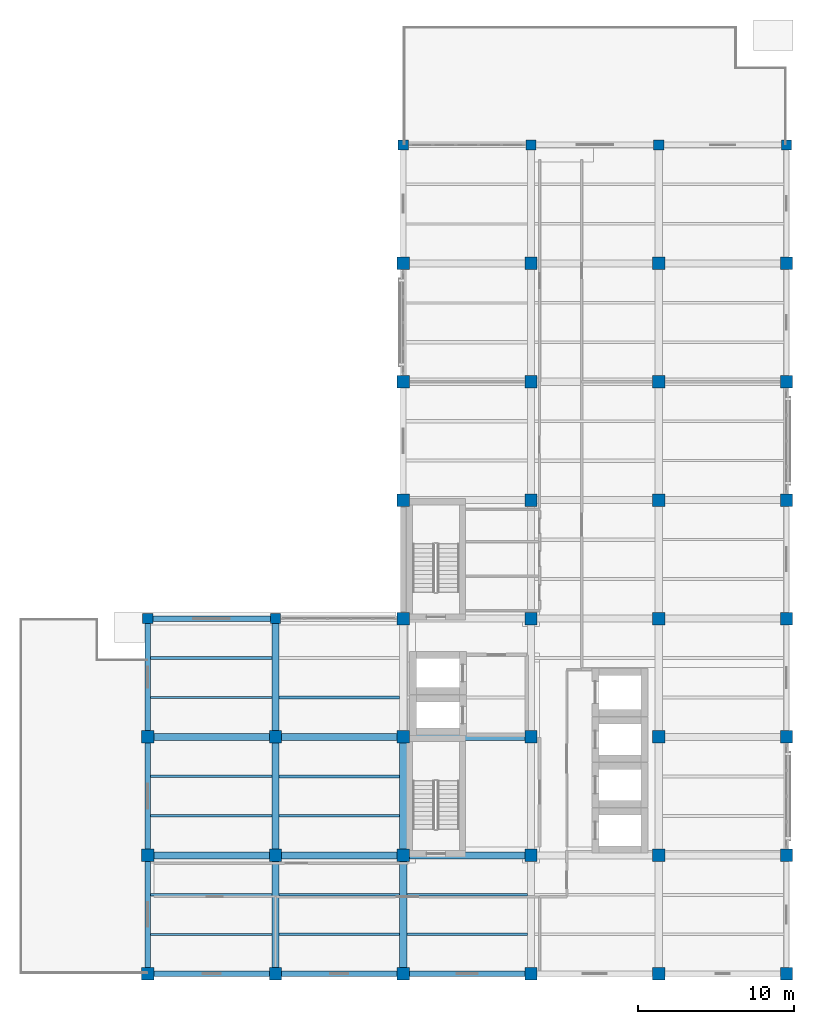
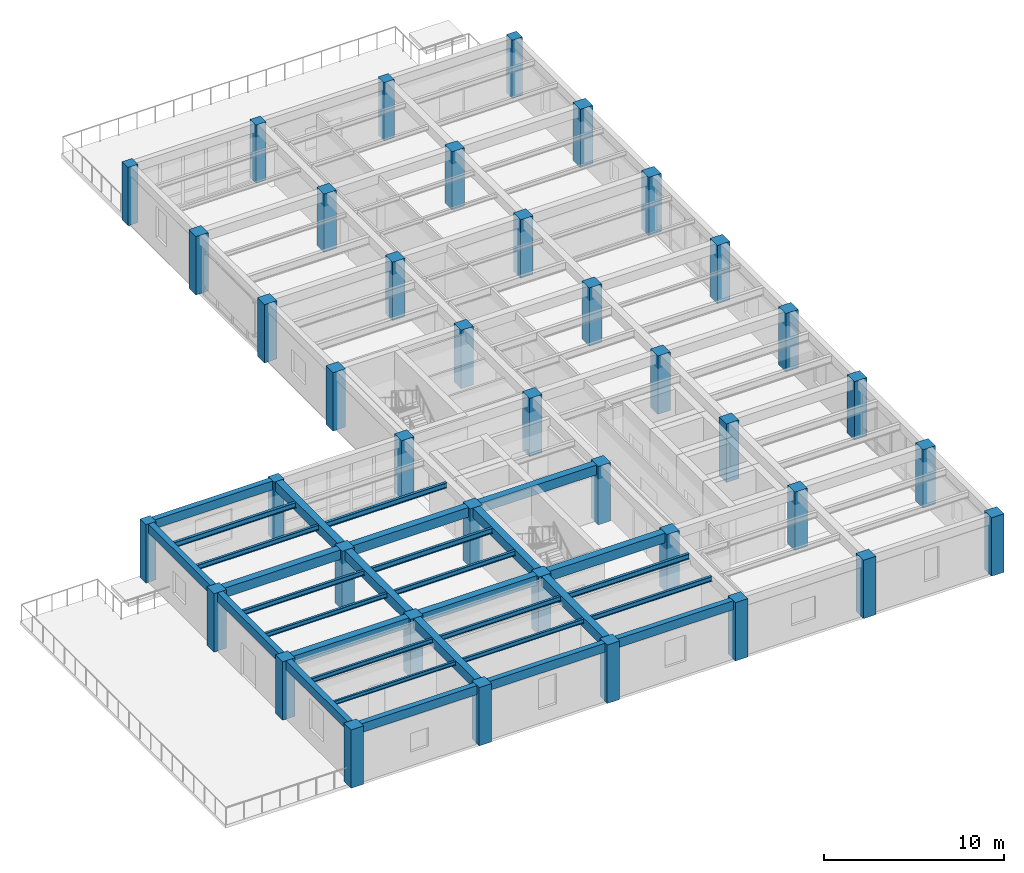
# One storey, part 1 of 14: 40 columns, 31 beams.
"""IFC4 building model written with IfcOpenShell, lengths in metres."""

from ifc_helpers import new_model, si_unit, direction, frame, origin, origin_2d, place, context, subcontext, project, spatial, rectangle, i_section, extrude, material, material_profile, profile_set, type_object, element, save


model = new_model("IFC4")

# Units and contexts
model_context = context("Model", 3, precision=1e-05, world=origin(), true_north=direction((0.0, 1.0)))
body_context = subcontext(model_context, "Body", "Model", "MODEL_VIEW")
ifc_project = project(units=[si_unit("LENGTHUNIT", "METRE"), si_unit("AREAUNIT", "SQUARE_METRE"), si_unit("VOLUMEUNIT", "CUBIC_METRE"), si_unit("PLANEANGLEUNIT", "RADIAN"), si_unit("MASSUNIT", "GRAM", prefix="KILO")], contexts=[model_context])

# Site, building, storey
site_placement = place(None, origin())
site = spatial("IfcSite", under=ifc_project, at=site_placement, CompositionType="ELEMENT")
building_placement = place(site_placement, origin())
building = spatial("IfcBuilding", under=site, at=building_placement, Name="Qandaris Square Conservatory and Botanical Centre", CompositionType="ELEMENT")
storey_placement = place(building_placement, frame((0.0, 0.0, 36.60009765625)))
storey = spatial("IfcBuildingStorey", under=building, at=storey_placement, Name="L08", CompositionType="ELEMENT", Elevation=36.60009765625)

# Columns
ifc_material_1 = material(Name="Concrete C50/60", Category="concrete")
ifc_material_profile_1 = material_profile(ifc_material_1, rectangle(XDim=0.64990234375, YDim=0.64990234375, at=origin_2d()), Name="RC-COL 650x650")
ifc_profile_set_1 = profile_set([ifc_material_profile_1], Name="Concrete C50/60")
column_type_1 = type_object("IfcColumnType", Name="RC Column 650x650", PredefinedType="COLUMN", material=ifc_profile_set_1)
for number, where, z_axis, x_axis, name in (
    (1, (122.800048828125, 39.39990234375, 0.0), (0.0, 0.0, 1.0), (1.0, 0.0, 0.0), "Column E15 (L08)"),
    (2, (131.0, 39.39990234375, 0.0), (0.0, 0.0, 1.0), (1.0, 0.0, 0.0), "Column E16 (L08)"),
    (3, (139.199951171875, 69.800048828125, 0.0), (0.0, 0.0, 1.0), (1.0, 0.0, 0.0), "Column J17 (L08)"),
    (4, (147.39990234375, 69.800048828125, 0.0), (0.0, 0.0, 1.0), (1.0, 0.0, 0.0), "Column J18 (L08)"),
    (5, (155.60009765625, 69.800048828125, 0.0), (0.0, 0.0, 1.0), (1.0, 0.0, 0.0), "Column J19 (L08)"),
    (6, (163.800048828125, 69.800048828125, 0.0), (0.0, 0.0, 1.0), (1.0, 0.0, 0.0), "Column J20 (L08)"),
):
    element("IfcColumn", number, at=place(storey_placement, frame(where, z_axis=z_axis, x_axis=x_axis)), inside=storey, type_object=column_type_1, Name=name, PredefinedType="COLUMN", context=body_context, shape_type="SweptSolid", body=[
        extrude(rectangle(XDim=0.64990234375, YDim=0.64990234375, at=origin_2d()), origin(), (0.0, 0.0, 1.0), 3.949951171875),
    ])
ifc_material_profile_2 = material_profile(ifc_material_1, rectangle(XDim=0.800048828125, YDim=0.800048828125, at=origin_2d()), Name="RC-COL 800x800")
ifc_profile_set_2 = profile_set([ifc_material_profile_2], Name="Concrete C50/60")
column_type_2 = type_object("IfcColumnType", Name="RC Column 800x800", PredefinedType="COLUMN", material=ifc_profile_set_2)
for number, where, z_axis, x_axis, name in (
    (7, (122.800048828125, 16.60009765625, 0.0), (0.0, 0.0, 1.0), (1.0, 0.0, 0.0), "Column B15 (L08)"),
    (8, (122.800048828125, 24.199951171875, 0.0), (0.0, 0.0, 1.0), (1.0, 0.0, 0.0), "Column C15 (L08)"),
    (9, (122.800048828125, 31.800048828125, 0.0), (0.0, 0.0, 1.0), (1.0, 0.0, 0.0), "Column D15 (L08)"),
    (10, (131.0, 16.60009765625, 0.0), (0.0, 0.0, 1.0), (1.0, 0.0, 0.0), "Column B16 (L08)"),
    (11, (131.0, 24.199951171875, 0.0), (0.0, 0.0, 1.0), (1.0, 0.0, 0.0), "Column C16 (L08)"),
    (12, (131.0, 31.800048828125, 0.0), (0.0, 0.0, 1.0), (1.0, 0.0, 0.0), "Column D16 (L08)"),
    (13, (139.199951171875, 16.60009765625, 0.0), (0.0, 0.0, 1.0), (1.0, 0.0, 0.0), "Column B17 (L08)"),
    (14, (139.199951171875, 24.199951171875, 0.0), (0.0, 0.0, 1.0), (1.0, 0.0, 0.0), "Column C17 (L08)"),
    (15, (139.199951171875, 31.800048828125, 0.0), (0.0, 0.0, 1.0), (1.0, 0.0, 0.0), "Column D17 (L08)"),
    (16, (139.199951171875, 39.39990234375, 0.0), (0.0, 0.0, 1.0), (1.0, 0.0, 0.0), "Column E17 (L08)"),
    (17, (139.199951171875, 47.0, 0.0), (0.0, 0.0, 1.0), (1.0, 0.0, 0.0), "Column F17 (L08)"),
    (18, (139.199951171875, 54.60009765625, 0.0), (0.0, 0.0, 1.0), (1.0, 0.0, 0.0), "Column G17 (L08)"),
    (19, (139.199951171875, 62.199951171875, 0.0), (0.0, 0.0, 1.0), (1.0, 0.0, 0.0), "Column H17 (L08)"),
    (20, (147.39990234375, 16.60009765625, 0.0), (0.0, 0.0, 1.0), (1.0, 0.0, 0.0), "Column B18 (L08)"),
    (21, (147.39990234375, 24.199951171875, 0.0), (0.0, 0.0, 1.0), (1.0, 0.0, 0.0), "Column C18 (L08)"),
    (22, (147.39990234375, 31.800048828125, 0.0), (0.0, 0.0, 1.0), (1.0, 0.0, 0.0), "Column D18 (L08)"),
    (23, (147.39990234375, 39.39990234375, 0.0), (0.0, 0.0, 1.0), (1.0, 0.0, 0.0), "Column E18 (L08)"),
    (24, (147.39990234375, 47.0, 0.0), (0.0, 0.0, 1.0), (1.0, 0.0, 0.0), "Column F18 (L08)"),
    (25, (147.39990234375, 54.60009765625, 0.0), (0.0, 0.0, 1.0), (1.0, 0.0, 0.0), "Column G18 (L08)"),
    (26, (147.39990234375, 62.199951171875, 0.0), (0.0, 0.0, 1.0), (1.0, 0.0, 0.0), "Column H18 (L08)"),
    (27, (155.60009765625, 16.60009765625, 0.0), (0.0, 0.0, 1.0), (1.0, 0.0, 0.0), "Column B19 (L08)"),
    (28, (155.60009765625, 24.199951171875, 0.0), (0.0, 0.0, 1.0), (1.0, 0.0, 0.0), "Column C19 (L08)"),
    (29, (155.60009765625, 31.800048828125, 0.0), (0.0, 0.0, 1.0), (1.0, 0.0, 0.0), "Column D19 (L08)"),
    (30, (155.60009765625, 39.39990234375, 0.0), (0.0, 0.0, 1.0), (1.0, 0.0, 0.0), "Column E19 (L08)"),
    (31, (155.60009765625, 47.0, 0.0), (0.0, 0.0, 1.0), (1.0, 0.0, 0.0), "Column F19 (L08)"),
    (32, (155.60009765625, 54.60009765625, 0.0), (0.0, 0.0, 1.0), (1.0, 0.0, 0.0), "Column G19 (L08)"),
    (33, (155.60009765625, 62.199951171875, 0.0), (0.0, 0.0, 1.0), (1.0, 0.0, 0.0), "Column H19 (L08)"),
    (34, (163.800048828125, 16.60009765625, 0.0), (0.0, 0.0, 1.0), (1.0, 0.0, 0.0), "Column B20 (L08)"),
    (35, (163.800048828125, 24.199951171875, 0.0), (0.0, 0.0, 1.0), (1.0, 0.0, 0.0), "Column C20 (L08)"),
    (36, (163.800048828125, 31.800048828125, 0.0), (0.0, 0.0, 1.0), (1.0, 0.0, 0.0), "Column D20 (L08)"),
    (37, (163.800048828125, 39.39990234375, 0.0), (0.0, 0.0, 1.0), (1.0, 0.0, 0.0), "Column E20 (L08)"),
    (38, (163.800048828125, 47.0, 0.0), (0.0, 0.0, 1.0), (1.0, 0.0, 0.0), "Column F20 (L08)"),
    (39, (163.800048828125, 54.60009765625, 0.0), (0.0, 0.0, 1.0), (1.0, 0.0, 0.0), "Column G20 (L08)"),
    (40, (163.800048828125, 62.199951171875, 0.0), (0.0, 0.0, 1.0), (1.0, 0.0, 0.0), "Column H20 (L08)"),
):
    element("IfcColumn", number, at=place(storey_placement, frame(where, z_axis=z_axis, x_axis=x_axis)), inside=storey, type_object=column_type_2, Name=name, PredefinedType="COLUMN", context=body_context, shape_type="SweptSolid", body=[
        extrude(rectangle(XDim=0.800048828125, YDim=0.800048828125, at=origin_2d()), origin(), (0.0, 0.0, 1.0), 3.949951171875),
    ])

# Beams
ifc_material_2 = material(Name="Steel S355", Category="steel")
ifc_material_profile_3 = material_profile(ifc_material_2, i_section(OverallWidth=0.14990234375, OverallDepth=0.300048828125, WebThickness=0.007080078125, FlangeThickness=0.0107421875, FilletRadius=0.014892578125, at=origin_2d()), Name="IPE 300")
ifc_profile_set_3 = profile_set([ifc_material_profile_3], Name="Steel S355")
beam_type_1 = type_object("IfcBeamType", Name="Composite Lab Joist IPE 300", PredefinedType="JOIST", material=ifc_profile_set_3)
for number, where, z_axis, x_axis, name in (
    (41, (122.97509765625, 21.666748046875, 3.789794921875), (1.0, 0.0, 0.0), (0.0, 1.0, 0.0), "L08 Composite Joist 2276"),
    (42, (122.97509765625, 26.7333984375, 3.789794921875), (1.0, 0.0, 0.0), (0.0, 1.0, 0.0), "L08 Composite Joist 2277"),
):
    element("IfcBeam", number, at=place(storey_placement, frame(where, z_axis=z_axis, x_axis=x_axis)), inside=storey, type_object=beam_type_1, Name=name, PredefinedType="JOIST", context=body_context, shape_type="SweptSolid", body=[
        extrude(i_section(OverallWidth=0.14990234375, OverallDepth=0.300048828125, WebThickness=0.007080078125, FlangeThickness=0.0107421875, FilletRadius=0.014892578125, at=origin_2d()), origin(), (0.0, 0.0, 1.0), 7.7998046875),
    ])
beam_1_placement = place(storey_placement, frame((131.22509765625, 19.13330078125, 3.789794921875), z_axis=(1.0, 0.0, 0.0), x_axis=(0.0, 1.0, 0.0)))
element("IfcBeam", 43, at=beam_1_placement, inside=storey, type_object=beam_type_1, Name="L08 Composite Joist 2281", PredefinedType="JOIST", context=body_context, shape_type="SweptSolid", body=[
    extrude(i_section(OverallWidth=0.14990234375, OverallDepth=0.300048828125, WebThickness=0.007080078125, FlangeThickness=0.0107421875, FilletRadius=0.014892578125, at=origin_2d()), origin(), (0.0, 0.0, 1.0), 7.75),
])
ifc_material_profile_4 = material_profile(ifc_material_2, i_section(OverallWidth=0.159912109375, OverallDepth=0.330078125, WebThickness=0.007568359375, FlangeThickness=0.011474609375, FilletRadius=0.01806640625, at=origin_2d()), Name="IPE 330")
ifc_profile_set_4 = profile_set([ifc_material_profile_4], Name="Steel S355")
beam_type_2 = type_object("IfcBeamType", Name="Composite Lab Joist IPE 330", PredefinedType="JOIST", material=ifc_profile_set_4)
for number, where, z_axis, x_axis, name in (
    (44, (122.97509765625, 29.2666015625, 3.77490234375), (1.0, 0.0, 0.0), (0.0, 1.0, 0.0), "L08 Composite Joist 2278"),
    (45, (122.97509765625, 34.333251953125, 3.77490234375), (1.0, 0.0, 0.0), (0.0, 1.0, 0.0), "L08 Composite Joist 2279"),
):
    element("IfcBeam", number, at=place(storey_placement, frame(where, z_axis=z_axis, x_axis=x_axis)), inside=storey, type_object=beam_type_2, Name=name, PredefinedType="JOIST", context=body_context, shape_type="SweptSolid", body=[
        extrude(i_section(OverallWidth=0.159912109375, OverallDepth=0.330078125, WebThickness=0.007568359375, FlangeThickness=0.011474609375, FilletRadius=0.01806640625, at=origin_2d()), origin(), (0.0, 0.0, 1.0), 7.7998046875),
    ])
for number, where, z_axis, x_axis, name in (
    (46, (131.22509765625, 21.666748046875, 3.77490234375), (1.0, 0.0, 0.0), (0.0, 1.0, 0.0), "L08 Composite Joist 2282"),
    (47, (131.22509765625, 26.7333984375, 3.77490234375), (1.0, 0.0, 0.0), (0.0, 1.0, 0.0), "L08 Composite Joist 2283"),
    (48, (139.425048828125, 19.13330078125, 3.77490234375), (1.0, 0.0, 0.0), (0.0, 1.0, 0.0), "L08 Composite Joist 2287"),
):
    element("IfcBeam", number, at=place(storey_placement, frame(where, z_axis=z_axis, x_axis=x_axis)), inside=storey, type_object=beam_type_2, Name=name, PredefinedType="JOIST", context=body_context, shape_type="SweptSolid", body=[
        extrude(i_section(OverallWidth=0.159912109375, OverallDepth=0.330078125, WebThickness=0.007568359375, FlangeThickness=0.011474609375, FilletRadius=0.01806640625, at=origin_2d()), origin(), (0.0, 0.0, 1.0), 7.75),
    ])
ifc_material_profile_5 = material_profile(ifc_material_2, i_section(OverallWidth=0.169921875, OverallDepth=0.360107421875, WebThickness=0.008056640625, FlangeThickness=0.0126953125, FilletRadius=0.01806640625, at=origin_2d()), Name="IPE 360")
ifc_profile_set_5 = profile_set([ifc_material_profile_5], Name="Steel S355")
beam_type_3 = type_object("IfcBeamType", Name="Composite Lab Joist IPE 360", PredefinedType="JOIST", material=ifc_profile_set_5)
beam_2_placement = place(storey_placement, frame((122.97509765625, 36.86669921875, 3.760009765625), z_axis=(1.0, 0.0, 0.0), x_axis=(0.0, 1.0, 0.0)))
element("IfcBeam", 49, at=beam_2_placement, inside=storey, type_object=beam_type_3, Name="L08 Composite Joist 2280", PredefinedType="JOIST", context=body_context, shape_type="SweptSolid", body=[
    extrude(i_section(OverallWidth=0.169921875, OverallDepth=0.360107421875, WebThickness=0.008056640625, FlangeThickness=0.0126953125, FilletRadius=0.01806640625, at=origin_2d()), origin(), (0.0, 0.0, 1.0), 7.7998046875),
])
for number, where, z_axis, x_axis, name in (
    (50, (131.22509765625, 29.2666015625, 3.760009765625), (1.0, 0.0, 0.0), (0.0, 1.0, 0.0), "L08 Composite Joist 2284"),
    (51, (131.22509765625, 34.333251953125, 3.760009765625), (1.0, 0.0, 0.0), (0.0, 1.0, 0.0), "L08 Composite Joist 2285"),
    (52, (139.425048828125, 21.666748046875, 3.760009765625), (1.0, 0.0, 0.0), (0.0, 1.0, 0.0), "L08 Composite Joist 2288"),
):
    element("IfcBeam", number, at=place(storey_placement, frame(where, z_axis=z_axis, x_axis=x_axis)), inside=storey, type_object=beam_type_3, Name=name, PredefinedType="JOIST", context=body_context, shape_type="SweptSolid", body=[
        extrude(i_section(OverallWidth=0.169921875, OverallDepth=0.360107421875, WebThickness=0.008056640625, FlangeThickness=0.0126953125, FilletRadius=0.01806640625, at=origin_2d()), origin(), (0.0, 0.0, 1.0), 7.75),
    ])
ifc_material_profile_6 = material_profile(ifc_material_1, rectangle(XDim=0.35009765625, YDim=0.60009765625, at=origin_2d()), Name="RC-SP 350x600")
ifc_profile_set_6 = profile_set([ifc_material_profile_6], Name="Concrete C50/60")
beam_type_4 = type_object("IfcBeamType", Name="RC Edge Spandrel Beam 350x600", PredefinedType="SPANDREL", material=ifc_profile_set_6)
for number, where, z_axis, x_axis, name in (
    (53, (122.800048828125, 16.60009765625, 3.64990234375), (1.0, 0.0, 0.0), (0.0, 1.0, 0.0), "L08 Frame Beam 2210"),
    (54, (131.0, 16.60009765625, 3.64990234375), (1.0, 0.0, 0.0), (0.0, 1.0, 0.0), "L08 Frame Beam 2211"),
    (55, (139.199951171875, 16.60009765625, 3.64990234375), (1.0, 0.0, 0.0), (0.0, 1.0, 0.0), "L08 Frame Beam 2212"),
    (56, (122.800048828125, 39.39990234375, 3.64990234375), (1.0, 0.0, 0.0), (0.0, 1.0, 0.0), "L08 Frame Beam 2224"),
):
    element("IfcBeam", number, at=place(storey_placement, frame(where, z_axis=z_axis, x_axis=x_axis)), inside=storey, type_object=beam_type_4, Name=name, PredefinedType="SPANDREL", context=body_context, shape_type="SweptSolid", body=[
        extrude(rectangle(XDim=0.35009765625, YDim=0.60009765625, at=origin_2d()), origin(), (0.0, 0.0, 1.0), 8.199951171875),
    ])
beam_3_placement = place(storey_placement, frame((122.800048828125, 16.60009765625, 3.64990234375), z_axis=(0.0, 1.0, 0.0), x_axis=(-1.0, 0.0, 0.0)))
element("IfcBeam", 57, at=beam_3_placement, inside=storey, type_object=beam_type_4, Name="L08 Frame Beam 2241", PredefinedType="SPANDREL", context=body_context, shape_type="SweptSolid", body=[
    extrude(rectangle(XDim=0.35009765625, YDim=0.60009765625, at=origin_2d()), origin(), (0.0, 0.0, 1.0), 7.599853515625),
])
beam_4_placement = place(storey_placement, frame((122.800048828125, 24.199951171875, 3.64990234375), z_axis=(0.0, 1.0, 0.0), x_axis=(-1.0, 0.0, 0.0)))
element("IfcBeam", 58, at=beam_4_placement, inside=storey, type_object=beam_type_4, Name="L08 Frame Beam 2242", PredefinedType="SPANDREL", context=body_context, shape_type="SweptSolid", body=[
    extrude(rectangle(XDim=0.35009765625, YDim=0.60009765625, at=origin_2d()), origin(), (0.0, 0.0, 1.0), 7.60009765625),
])
beam_5_placement = place(storey_placement, frame((122.800048828125, 31.800048828125, 3.64990234375), z_axis=(0.0, 1.0, 0.0), x_axis=(-1.0, 0.0, 0.0)))
element("IfcBeam", 59, at=beam_5_placement, inside=storey, type_object=beam_type_4, Name="L08 Frame Beam 2243", PredefinedType="SPANDREL", context=body_context, shape_type="SweptSolid", body=[
    extrude(rectangle(XDim=0.35009765625, YDim=0.60009765625, at=origin_2d()), origin(), (0.0, 0.0, 1.0), 7.599853515625),
])
ifc_material_profile_7 = material_profile(ifc_material_1, rectangle(XDim=0.449951171875, YDim=0.64990234375, at=origin_2d()), Name="RC-BM 450x650")
ifc_profile_set_7 = profile_set([ifc_material_profile_7], Name="Concrete C50/60")
beam_type_5 = type_object("IfcBeamType", Name="RC Floor Girder 450x650", PredefinedType="BEAM", material=ifc_profile_set_7)
for number, where, z_axis, x_axis, name in (
    (60, (122.800048828125, 24.199951171875, 3.625), (1.0, 0.0, 0.0), (0.0, 1.0, 0.0), "L08 Frame Beam 2215"),
    (61, (131.0, 24.199951171875, 3.625), (1.0, 0.0, 0.0), (0.0, 1.0, 0.0), "L08 Frame Beam 2216"),
    (62, (139.199951171875, 24.199951171875, 3.625), (1.0, 0.0, 0.0), (0.0, 1.0, 0.0), "L08 Frame Beam 2217"),
    (63, (122.800048828125, 31.800048828125, 3.625), (1.0, 0.0, 0.0), (0.0, 1.0, 0.0), "L08 Frame Beam 2220"),
    (64, (131.0, 31.800048828125, 3.625), (1.0, 0.0, 0.0), (0.0, 1.0, 0.0), "L08 Frame Beam 2221"),
    (65, (139.199951171875, 31.800048828125, 3.625), (1.0, 0.0, 0.0), (0.0, 1.0, 0.0), "L08 Frame Beam 2222"),
):
    element("IfcBeam", number, at=place(storey_placement, frame(where, z_axis=z_axis, x_axis=x_axis)), inside=storey, type_object=beam_type_5, Name=name, PredefinedType="BEAM", context=body_context, shape_type="SweptSolid", body=[
        extrude(rectangle(XDim=0.449951171875, YDim=0.64990234375, at=origin_2d()), origin(), (0.0, 0.0, 1.0), 8.199951171875),
    ])
beam_6_placement = place(storey_placement, frame((131.0, 16.60009765625, 3.625), z_axis=(0.0, 1.0, 0.0), x_axis=(-1.0, 0.0, 0.0)))
element("IfcBeam", 66, at=beam_6_placement, inside=storey, type_object=beam_type_5, Name="L08 Frame Beam 2244", PredefinedType="BEAM", context=body_context, shape_type="SweptSolid", body=[
    extrude(rectangle(XDim=0.449951171875, YDim=0.64990234375, at=origin_2d()), origin(), (0.0, 0.0, 1.0), 7.599853515625),
])
beam_7_placement = place(storey_placement, frame((131.0, 24.199951171875, 3.625), z_axis=(0.0, 1.0, 0.0), x_axis=(-1.0, 0.0, 0.0)))
element("IfcBeam", 67, at=beam_7_placement, inside=storey, type_object=beam_type_5, Name="L08 Frame Beam 2245", PredefinedType="BEAM", context=body_context, shape_type="SweptSolid", body=[
    extrude(rectangle(XDim=0.449951171875, YDim=0.64990234375, at=origin_2d()), origin(), (0.0, 0.0, 1.0), 7.60009765625),
])
for number, where, z_axis, x_axis, name in (
    (68, (131.0, 31.800048828125, 3.625), (0.0, 1.0, 0.0), (-1.0, 0.0, 0.0), "L08 Frame Beam 2246"),
    (69, (139.199951171875, 16.60009765625, 3.625), (0.0, 1.0, 0.0), (-1.0, 0.0, 0.0), "L08 Frame Beam 2247"),
):
    element("IfcBeam", number, at=place(storey_placement, frame(where, z_axis=z_axis, x_axis=x_axis)), inside=storey, type_object=beam_type_5, Name=name, PredefinedType="BEAM", context=body_context, shape_type="SweptSolid", body=[
        extrude(rectangle(XDim=0.449951171875, YDim=0.64990234375, at=origin_2d()), origin(), (0.0, 0.0, 1.0), 7.599853515625),
    ])
beam_8_placement = place(storey_placement, frame((139.199951171875, 24.199951171875, 3.625), z_axis=(0.0, 1.0, 0.0), x_axis=(-1.0, 0.0, 0.0)))
element("IfcBeam", 70, at=beam_8_placement, inside=storey, type_object=beam_type_5, Name="L08 Frame Beam 2248", PredefinedType="BEAM", context=body_context, shape_type="SweptSolid", body=[
    extrude(rectangle(XDim=0.449951171875, YDim=0.64990234375, at=origin_2d()), origin(), (0.0, 0.0, 1.0), 7.60009765625),
])
ifc_material_profile_8 = material_profile(ifc_material_2, i_section(OverallWidth=0.135009765625, OverallDepth=0.27001953125, WebThickness=0.006591796875, FlangeThickness=0.01025390625, FilletRadius=0.014892578125, at=origin_2d()), Name="IPE 270")
ifc_profile_set_8 = profile_set([ifc_material_profile_8], Name="Steel S355")
beam_type_6 = type_object("IfcBeamType", Name="Steel Floor Joist IPE 270", PredefinedType="JOIST", material=ifc_profile_set_8)
beam_9_placement = place(storey_placement, frame((122.97509765625, 19.13330078125, 3.804931640625), z_axis=(1.0, 0.0, 0.0), x_axis=(0.0, 1.0, 0.0)))
element("IfcBeam", 71, at=beam_9_placement, inside=storey, type_object=beam_type_6, Name="L08 Composite Joist 2275", PredefinedType="JOIST", context=body_context, shape_type="SweptSolid", body=[
    extrude(i_section(OverallWidth=0.135009765625, OverallDepth=0.27001953125, WebThickness=0.006591796875, FlangeThickness=0.01025390625, FilletRadius=0.014892578125, at=origin_2d()), origin(), (0.0, 0.0, 1.0), 7.7998046875),
])

save(model, "model.ifc")
